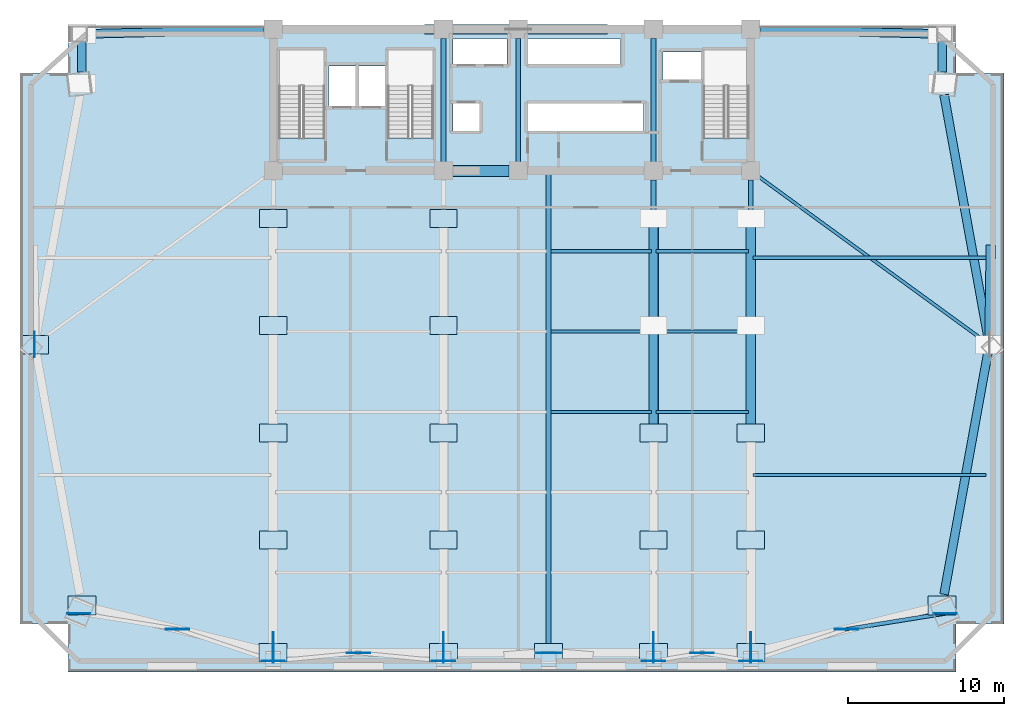
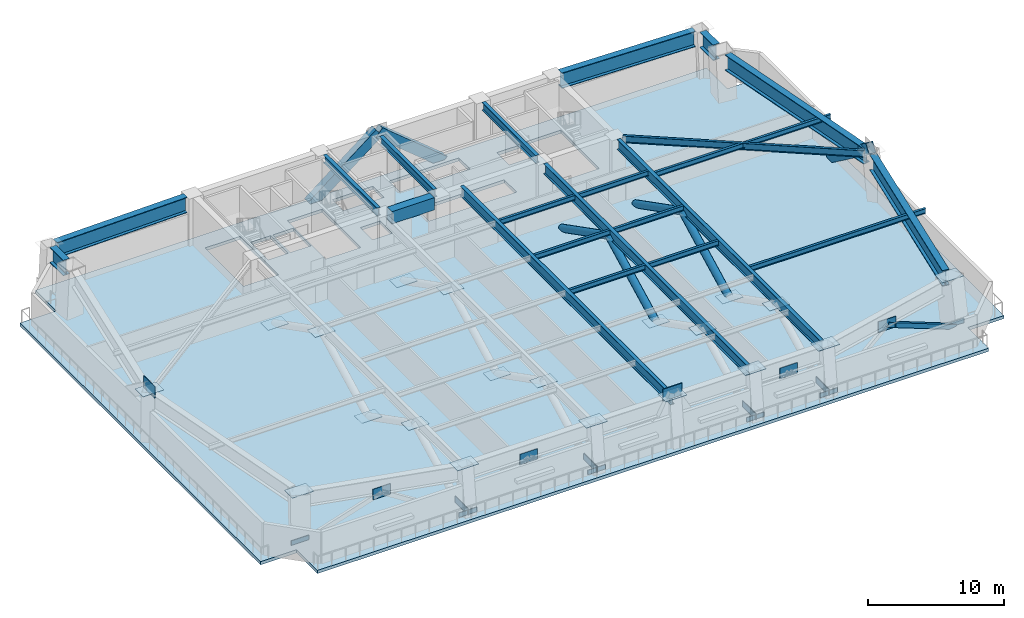
# One storey, part 2 of 10: 36 plates, 22 beams, 8 members, 1 slab.
"""IFC4 building model written with IfcOpenShell, lengths in metres."""

from ifc_helpers import new_model, si_unit, direction, frame, origin, origin_2d, place, context, subcontext, project, spatial, polyline, rectangle, hollow_rectangle, hollow_circle, i_section, outline, extrude, source, transform, mapped, material, layer, layer_set, material_profile, profile_set, type_object, element, save


model = new_model("IFC4")

# Units and contexts
model_context = context("Model", 3, precision=1e-05, world=origin(), true_north=direction((0.0, 1.0)))
body_context = subcontext(model_context, "Body", "Model", "MODEL_VIEW")
ifc_project = project(units=[si_unit("LENGTHUNIT", "METRE"), si_unit("AREAUNIT", "SQUARE_METRE"), si_unit("VOLUMEUNIT", "CUBIC_METRE"), si_unit("PLANEANGLEUNIT", "RADIAN"), si_unit("MASSUNIT", "GRAM", prefix="KILO")], contexts=[model_context])

# Site, building, storey
site_placement = place(None, origin())
site = spatial("IfcSite", under=ifc_project, at=site_placement, CompositionType="ELEMENT")
building_placement = place(site_placement, origin())
building = spatial("IfcBuilding", under=site, at=building_placement, Name="Giltprow Tower", CompositionType="ELEMENT")
storey_placement = place(building_placement, frame((0.0, 0.0, 95.199951171875)))
storey = spatial("IfcBuildingStorey", under=building, at=storey_placement, Name="L23", CompositionType="ELEMENT", Elevation=95.199951171875)

# Beams
ifc_material_1 = material(Name="Concrete C60", Category="concrete")
ifc_material_profile_1 = material_profile(ifc_material_1, rectangle(XDim=0.699951171875, YDim=1.10009765625, at=origin_2d()), Name="RC 1100x700")
ifc_profile_set_1 = profile_set([ifc_material_profile_1], Name="Concrete C60")
beam_type_1 = type_object("IfcBeamType", Name="BM-CPL-RC1100", PredefinedType="LINTEL", material=ifc_profile_set_1)
shared_shape_1 = source(origin(), body_context, "Body", "SweptSolid", [
    extrude(rectangle(XDim=0.699951171875, YDim=1.10009765625, at=origin_2d()), origin(), (0.0, 0.0, 1.0), 3.6298828125),
])
beam_1_placement = place(storey_placement, frame((31.385009765625, 37.449951171875, 3.72998046875), z_axis=(1.0, 0.0, 0.0), x_axis=(0.0, 1.0, 0.0)))
element("IfcBeam", 1, at=beam_1_placement, inside=storey, type_object=beam_type_1, Name="L23 Core Coupling Beam CB-1", PredefinedType="LINTEL", context=body_context, shape_type="MappedRepresentation", body=[
    mapped(shared_shape_1, transform((0.0, 0.0, 0.0), x_axis=(1.0, 0.0, 0.0), y_axis=(0.0, 1.0, 0.0), z_axis=(0.0, 0.0, 1.0), scale=1.0)),
])
ifc_material_2 = material(Name="Structural steel Q355B", Category="steel")
ifc_material_profile_2 = material_profile(ifc_material_2, i_section(OverallWidth=0.300048828125, OverallDepth=0.699951171875, WebThickness=0.012939453125, FlangeThickness=0.02392578125, at=origin_2d()), Name="HN 700x300x13x24")
ifc_profile_set_2 = profile_set([ifc_material_profile_2], Name="Structural steel Q355B")
beam_type_2 = type_object("IfcBeamType", Name="BM-GIRD-HN700", PredefinedType="BEAM", material=ifc_profile_set_2)
shared_shape_2 = source(origin(), body_context, "Body", "SweptSolid", [
    extrude(i_section(OverallWidth=0.300048828125, OverallDepth=0.699951171875, WebThickness=0.012939453125, FlangeThickness=0.02392578125, at=origin_2d()), origin(), (0.0, 0.0, 1.0), 7.93017578125),
])
for number, where, z_axis, x_axis, name in (
    (2, (30.800048828125, 38.034912109375, 3.929931640625), (0.0, 1.0, 0.0), (-1.0, 0.0, 0.0), "L23 Core Tie Girder M1"),
    (3, (35.60009765625, 38.034912109375, 3.929931640625), (0.0, 1.0, 0.0), (-1.0, 0.0, 0.0), "L23 Core Tie Girder M2"),
    (4, (44.300048828125, 38.034912109375, 3.929931640625), (0.0, 1.0, 0.0), (-1.0, 0.0, 0.0), "L23 Core Tie Girder M3"),
):
    element("IfcBeam", number, at=place(storey_placement, frame(where, z_axis=z_axis, x_axis=x_axis)), inside=storey, type_object=beam_type_2, Name=name, PredefinedType="BEAM", context=body_context, shape_type="MappedRepresentation", body=[
        mapped(shared_shape_2, transform((0.0, 0.0, 0.0), x_axis=(1.0, 0.0, 0.0), y_axis=(0.0, 1.0, 0.0), z_axis=(0.0, 0.0, 1.0), scale=1.0)),
    ])
ifc_material_profile_3 = material_profile(ifc_material_2, i_section(OverallWidth=0.199951171875, OverallDepth=0.449951171875, WebThickness=0.009033203125, FlangeThickness=0.013916015625, at=origin_2d()), Name="HN 450x200x9x14")
ifc_profile_set_3 = profile_set([ifc_material_profile_3], Name="Structural steel Q355B")
beam_type_3 = type_object("IfcBeamType", Name="BM-JOIST-HN450", PredefinedType="JOIST", material=ifc_profile_set_3)
shared_shape_3 = source(origin(), body_context, "Body", "SweptSolid", [
    extrude(i_section(OverallWidth=0.199951171875, OverallDepth=0.449951171875, WebThickness=0.009033203125, FlangeThickness=0.013916015625, at=origin_2d()), origin(), (0.0, 0.0, 1.0), 6.4599609375),
])
for number, where, z_axis, x_axis, name in (
    (5, (37.695068359375, 21.9560546875, 4.054931640625), (1.0, 0.0, 0.0), (0.0, 1.0, 0.0), "L23 Composite Floor Joist 3-3"),
    (6, (37.695068359375, 27.12109375, 4.054931640625), (1.0, 0.0, 0.0), (0.0, 1.0, 0.0), "L23 Composite Floor Joist 4-3"),
    (7, (37.695068359375, 32.284912109375, 4.054931640625), (1.0, 0.0, 0.0), (0.0, 1.0, 0.0), "L23 Composite Floor Joist 5-3"),
):
    element("IfcBeam", number, at=place(storey_placement, frame(where, z_axis=z_axis, x_axis=x_axis)), inside=storey, type_object=beam_type_3, Name=name, PredefinedType="JOIST", context=body_context, shape_type="MappedRepresentation", body=[
        mapped(shared_shape_3, transform((0.0, 0.0, 0.0), x_axis=(1.0, 0.0, 0.0), y_axis=(0.0, 1.0, 0.0), z_axis=(0.0, 0.0, 1.0), scale=1.0)),
    ])
shared_shape_4 = source(origin(), body_context, "Body", "SweptSolid", [
    extrude(i_section(OverallWidth=0.199951171875, OverallDepth=0.449951171875, WebThickness=0.009033203125, FlangeThickness=0.013916015625, at=origin_2d()), origin(), (0.0, 0.0, 1.0), 5.9599609375),
])
for number, where, z_axis, x_axis, name in (
    (8, (44.445068359375, 21.9560546875, 4.054931640625), (1.0, 0.0, 0.0), (0.0, 1.0, 0.0), "L23 Composite Floor Joist 3-4"),
    (9, (44.445068359375, 27.12109375, 4.054931640625), (1.0, 0.0, 0.0), (0.0, 1.0, 0.0), "L23 Composite Floor Joist 4-4"),
    (10, (44.445068359375, 32.284912109375, 4.054931640625), (1.0, 0.0, 0.0), (0.0, 1.0, 0.0), "L23 Composite Floor Joist 5-4"),
):
    element("IfcBeam", number, at=place(storey_placement, frame(where, z_axis=z_axis, x_axis=x_axis)), inside=storey, type_object=beam_type_3, Name=name, PredefinedType="JOIST", context=body_context, shape_type="MappedRepresentation", body=[
        mapped(shared_shape_4, transform((0.0, 0.0, 0.0), x_axis=(1.0, 0.0, 0.0), y_axis=(0.0, 1.0, 0.0), z_axis=(0.0, 0.0, 1.0), scale=1.0)),
    ])
ifc_material_3 = material(Name="Structural steel Q420GJC", Category="steel")
ifc_material_profile_4 = material_profile(ifc_material_3, i_section(OverallWidth=0.550048828125, OverallDepth=1.39990234375, WebThickness=0.031982421875, FlangeThickness=0.050048828125, at=origin_2d()), Name="WH 1400x550x32x50")
ifc_profile_set_4 = profile_set([ifc_material_profile_4], Name="Structural steel Q420GJC")
beam_type_4 = type_object("IfcBeamType", Name="BM-XFER-WH1400", PredefinedType="BEAM", material=ifc_profile_set_4)
shared_shape_5 = source(origin(), body_context, "Body", "SweptSolid", [
    extrude(i_section(OverallWidth=0.550048828125, OverallDepth=1.39990234375, WebThickness=0.031982421875, FlangeThickness=0.050048828125, at=origin_2d()), origin(), (0.0, 0.0, 1.0), 15.8291015625),
])
beam_2_placement = place(storey_placement, frame((62.97900390625, 10.22802734375, 3.580078125), z_axis=(0.178466024476, 0.983946074797, 0.0), x_axis=(-0.983946074797, 0.178466024476, 0.0)))
element("IfcBeam", 11, at=beam_2_placement, inside=storey, type_object=beam_type_4, Name="L23 Perimeter Spandrel Beam MC_SE-E_MID", PredefinedType="BEAM", context=body_context, shape_type="MappedRepresentation", body=[
    mapped(shared_shape_5, transform((0.0, 0.0, 0.0), x_axis=(1.0, 0.0, 0.0), y_axis=(0.0, 1.0, 0.0), z_axis=(0.0, 0.0, 1.0), scale=1.0)),
])
shared_shape_6 = source(origin(), body_context, "Body", "SweptSolid", [
    extrude(i_section(OverallWidth=0.550048828125, OverallDepth=1.39990234375, WebThickness=0.031982421875, FlangeThickness=0.050048828125, at=origin_2d()), origin(), (0.0, 0.0, 1.0), 15.830078125),
])
beam_3_placement = place(storey_placement, frame((65.803955078125, 26.757080078125, 3.580078125), z_axis=(-0.178455191556, 0.983948039587, 0.0), x_axis=(-0.983948039587, -0.178455191556, 0.0)))
element("IfcBeam", 12, at=beam_3_placement, inside=storey, type_object=beam_type_4, Name="L23 Perimeter Spandrel Beam E_MID-MC_NE", PredefinedType="BEAM", context=body_context, shape_type="MappedRepresentation", body=[
    mapped(shared_shape_6, transform((0.0, 0.0, 0.0), x_axis=(1.0, 0.0, 0.0), y_axis=(0.0, 1.0, 0.0), z_axis=(0.0, 0.0, 1.0), scale=1.0)),
])
shared_shape_7 = source(origin(), body_context, "Body", "SweptSolid", [
    extrude(i_section(OverallWidth=0.550048828125, OverallDepth=1.39990234375, WebThickness=0.031982421875, FlangeThickness=0.050048828125, at=origin_2d()), origin(), (0.0, 0.0, 1.0), 1.973876953125),
])
for number, where, z_axis, x_axis, name in (
    (13, (62.847900390625, 43.791015625, 3.580078125), (0.0, 1.0, 0.0), (-1.0, 0.0, 0.0), "L23 Perimeter Spandrel Beam MC_NE-N_E"),
    (14, (7.552978515625, 45.764892578125, 3.580078125), (0.0, -1.0, 0.0), (1.0, 0.0, 0.0), "L23 Perimeter Spandrel Beam N_W-MC_NW"),
):
    element("IfcBeam", number, at=place(storey_placement, frame(where, z_axis=z_axis, x_axis=x_axis)), inside=storey, type_object=beam_type_4, Name=name, PredefinedType="BEAM", context=body_context, shape_type="MappedRepresentation", body=[
        mapped(shared_shape_7, transform((0.0, 0.0, 0.0), x_axis=(1.0, 0.0, 0.0), y_axis=(0.0, 1.0, 0.0), z_axis=(0.0, 0.0, 1.0), scale=1.0)),
    ])
shared_shape_8 = source(origin(), body_context, "Body", "SweptSolid", [
    extrude(i_section(OverallWidth=0.550048828125, OverallDepth=1.39990234375, WebThickness=0.031982421875, FlangeThickness=0.050048828125, at=origin_2d()), origin(), (0.0, 0.0, 1.0), 11.230224609375),
])
beam_4_placement = place(storey_placement, frame((8.0380859375, 46.261962890625, 3.580078125), z_axis=(0.999702470878, 0.024392001138, 0.0), x_axis=(-0.024392001138, 0.999702470878, 0.0)))
element("IfcBeam", 15, at=beam_4_placement, inside=storey, type_object=beam_type_4, Name="L23 North Wing Spandrel W", PredefinedType="BEAM", context=body_context, shape_type="MappedRepresentation", body=[
    mapped(shared_shape_8, transform((0.0, 0.0, 0.0), x_axis=(1.0, 0.0, 0.0), y_axis=(0.0, 1.0, 0.0), z_axis=(0.0, 0.0, 1.0), scale=1.0)),
])
shared_shape_9 = source(origin(), body_context, "Body", "SweptSolid", [
    extrude(i_section(OverallWidth=0.550048828125, OverallDepth=1.39990234375, WebThickness=0.031982421875, FlangeThickness=0.050048828125, at=origin_2d()), origin(), (0.0, 0.0, 1.0), 11.2314453125),
])
beam_5_placement = place(storey_placement, frame((51.135009765625, 46.535888671875, 3.580078125), z_axis=(0.99970253554, -0.024389350834, 0.0), x_axis=(0.024389350834, 0.99970253554, 0.0)))
element("IfcBeam", 16, at=beam_5_placement, inside=storey, type_object=beam_type_4, Name="L23 North Wing Spandrel E", PredefinedType="BEAM", context=body_context, shape_type="MappedRepresentation", body=[
    mapped(shared_shape_9, transform((0.0, 0.0, 0.0), x_axis=(1.0, 0.0, 0.0), y_axis=(0.0, 1.0, 0.0), z_axis=(0.0, 0.0, 1.0), scale=1.0)),
])
ifc_material_profile_5 = material_profile(ifc_material_2, i_section(OverallWidth=0.300048828125, OverallDepth=0.89990234375, WebThickness=0.01611328125, FlangeThickness=0.028076171875, at=origin_2d()), Name="HN 900x300x16x28")
ifc_profile_set_5 = profile_set([ifc_material_profile_5], Name="Structural steel Q355B")
beam_type_5 = type_object("IfcBeamType", Name="BM-GIRD-HN900", PredefinedType="BEAM", material=ifc_profile_set_5)
shared_shape_10 = source(origin(), body_context, "Body", "SweptSolid", [
    extrude(i_section(OverallWidth=0.300048828125, OverallDepth=0.89990234375, WebThickness=0.01611328125, FlangeThickness=0.028076171875, at=origin_2d()), origin(), (0.0, 0.0, 1.0), 29.91796875),
])
for number, where, z_axis, x_axis, name in (
    (17, (44.300048828125, 6.947021484375, 3.830078125), (0.0, 1.0, 0.0), (-1.0, 0.0, 0.0), "L23 Primary Lease Girder S3"),
    (18, (50.550048828125, 6.947021484375, 3.830078125), (0.0, 1.0, 0.0), (-1.0, 0.0, 0.0), "L23 Primary Lease Girder S4"),
):
    element("IfcBeam", number, at=place(storey_placement, frame(where, z_axis=z_axis, x_axis=x_axis)), inside=storey, type_object=beam_type_5, Name=name, PredefinedType="BEAM", context=body_context, shape_type="MappedRepresentation", body=[
        mapped(shared_shape_10, transform((0.0, 0.0, 0.0), x_axis=(1.0, 0.0, 0.0), y_axis=(0.0, 1.0, 0.0), z_axis=(0.0, 0.0, 1.0), scale=1.0)),
    ])
shared_shape_11 = source(origin(), body_context, "Body", "SweptSolid", [
    extrude(i_section(OverallWidth=0.300048828125, OverallDepth=0.89990234375, WebThickness=0.01611328125, FlangeThickness=0.028076171875, at=origin_2d()), origin(), (0.0, 0.0, 1.0), 30.988037109375),
])
beam_6_placement = place(storey_placement, frame((37.550048828125, 6.4619140625, 3.830078125), z_axis=(0.0, 1.0, 0.0), x_axis=(-1.0, 0.0, 0.0)))
element("IfcBeam", 19, at=beam_6_placement, inside=storey, type_object=beam_type_5, Name="L23 Central Lease Girder SMID", PredefinedType="BEAM", context=body_context, shape_type="MappedRepresentation", body=[
    mapped(shared_shape_11, transform((0.0, 0.0, 0.0), x_axis=(1.0, 0.0, 0.0), y_axis=(0.0, 1.0, 0.0), z_axis=(0.0, 0.0, 1.0), scale=1.0)),
])
ifc_material_profile_6 = material_profile(ifc_material_2, i_section(OverallWidth=0.199951171875, OverallDepth=0.60009765625, WebThickness=0.010986328125, FlangeThickness=0.01708984375, at=origin_2d()), Name="HN 600x200x11x17")
ifc_profile_set_6 = profile_set([ifc_material_profile_6], Name="Structural steel Q355B")
beam_type_6 = type_object("IfcBeamType", Name="BM-GIRD-HN600", PredefinedType="BEAM", material=ifc_profile_set_6)
shared_shape_12 = source(origin(), body_context, "Body", "SweptSolid", [
    extrude(i_section(OverallWidth=0.199951171875, OverallDepth=0.60009765625, WebThickness=0.010986328125, FlangeThickness=0.01708984375, at=origin_2d()), origin(), (0.0, 0.0, 1.0), 17.9072265625),
])
beam_7_placement = place(storey_placement, frame((65.4990234375, 26.56494140625, 3.97998046875), z_axis=(-0.808391641657, 0.588645015013, 0.0), x_axis=(-0.588645015013, -0.808391641657, 0.0)))
element("IfcBeam", 20, at=beam_7_placement, inside=storey, type_object=beam_type_6, Name="L23 East Wing Primary Girder", PredefinedType="BEAM", context=body_context, shape_type="MappedRepresentation", body=[
    mapped(shared_shape_12, transform((0.0, 0.0, 0.0), x_axis=(1.0, 0.0, 0.0), y_axis=(0.0, 1.0, 0.0), z_axis=(0.0, 0.0, 1.0), scale=1.0)),
])
shared_shape_13 = source(origin(), body_context, "Body", "SweptSolid", [
    extrude(i_section(OverallWidth=0.199951171875, OverallDepth=0.449951171875, WebThickness=0.009033203125, FlangeThickness=0.013916015625, at=origin_2d()), origin(), (0.0, 0.0, 1.0), 14.975830078125),
])
for number, where, z_axis, x_axis, name in (
    (21, (50.695068359375, 17.89306640625, 4.054931640625), (1.0, 0.0, 0.0), (0.0, 1.0, 0.0), "L23 East Wing Floor Joist 1"),
    (22, (50.695068359375, 31.864990234375, 4.054931640625), (1.0, 0.0, 0.0), (0.0, 1.0, 0.0), "L23 East Wing Floor Joist 2"),
):
    element("IfcBeam", number, at=place(storey_placement, frame(where, z_axis=z_axis, x_axis=x_axis)), inside=storey, type_object=beam_type_3, Name=name, PredefinedType="JOIST", context=body_context, shape_type="MappedRepresentation", body=[
        mapped(shared_shape_13, transform((0.0, 0.0, 0.0), x_axis=(1.0, 0.0, 0.0), y_axis=(0.0, 1.0, 0.0), z_axis=(0.0, 0.0, 1.0), scale=1.0)),
    ])

# Members
ifc_material_profile_7 = material_profile(ifc_material_3, hollow_circle(Radius=0.304931640625, WallThickness=0.028076171875, at=origin_2d()), Name="CHS 610x28")
ifc_profile_set_7 = profile_set([ifc_material_profile_7], Name="Structural steel Q420GJC")
member_type_1 = type_object("IfcMemberType", Name="MBR-OUTR-CHS610", PredefinedType="BRACE", material=ifc_profile_set_7)
shared_shape_14 = source(origin(), body_context, "Body", "SweptSolid", [
    extrude(hollow_circle(Radius=0.304931640625, WallThickness=0.028076171875, at=origin_2d()), origin(), (0.0, 0.0, 1.0), 7.752197265625),
])
for number, where, z_axis, x_axis, name in (
    (23, (44.300048828125, 20.60595703125, -0.079833984375), (0.0, 0.889666262579, 0.456611367828), (-1.0, 0.0, 0.0), "L23 Outrigger Truss Diagonal S3-3"),
    (24, (44.300048828125, 27.5029296875, 3.4599609375), (0.0, 0.889666262579, -0.456611367828), (-1.0, 0.0, 0.0), "L23 Outrigger Truss Diagonal S3-4"),
    (25, (50.550048828125, 20.60595703125, -0.079833984375), (0.0, 0.889666262579, 0.456611367828), (-1.0, 0.0, 0.0), "L23 Outrigger Truss Diagonal S4-3"),
    (26, (50.550048828125, 27.5029296875, 3.4599609375), (0.0, 0.889666262579, -0.456611367828), (-1.0, 0.0, 0.0), "L23 Outrigger Truss Diagonal S4-4"),
):
    element("IfcMember", number, at=place(storey_placement, frame(where, z_axis=z_axis, x_axis=x_axis)), inside=storey, type_object=member_type_1, Name=name, PredefinedType="BRACE", context=body_context, shape_type="MappedRepresentation", body=[
        mapped(shared_shape_14, transform((0.0, 0.0, 0.0), x_axis=(1.0, 0.0, 0.0), y_axis=(0.0, 1.0, 0.0), z_axis=(0.0, 0.0, 1.0), scale=1.0)),
    ])
ifc_material_profile_8 = material_profile(ifc_material_3, hollow_rectangle(XDim=0.25, YDim=0.39990234375, WallThickness=0.01806640625, at=origin_2d()), Name="RHS 400x250x18")
ifc_profile_set_8 = profile_set([ifc_material_profile_8], Name="Structural steel Q420GJC")
member_type_2 = type_object("IfcMemberType", Name="MBR-BELT-RHS400", PredefinedType="CHORD", material=ifc_profile_set_8)
shared_shape_15 = source(origin(), body_context, "Body", "SweptSolid", [
    extrude(hollow_rectangle(XDim=0.25, YDim=0.39990234375, WallThickness=0.01806640625, at=origin_2d()), origin(), (0.0, 0.0, 1.0), 7.1201171875),
])
member_1_placement = place(storey_placement, frame((63.055908203125, 9.006103515625, -0.079833984375), z_axis=(-0.89281467479, -0.143567671993, 0.426931235725), x_axis=(0.15876390305, -0.987316576934, 0.0)))
element("IfcMember", 27, at=member_1_placement, inside=storey, type_object=member_type_2, Name="L23 Belt-Truss Diagonal 4-2", PredefinedType="CHORD", context=body_context, shape_type="MappedRepresentation", body=[
    mapped(shared_shape_15, transform((0.0, 0.0, 0.0), x_axis=(1.0, 0.0, 0.0), y_axis=(0.0, 1.0, 0.0), z_axis=(0.0, 0.0, 1.0), scale=1.0)),
])
ifc_material_profile_9 = material_profile(ifc_material_3, hollow_rectangle(XDim=0.60009765625, YDim=0.89990234375, WallThickness=0.0400390625, at=origin_2d()), Name="RHS 900x600x40")
ifc_profile_set_9 = profile_set([ifc_material_profile_9], Name="Structural steel Q420GJC")
member_type_3 = type_object("IfcMemberType", Name="MBR-MEGA-RHS900", PredefinedType="BRACE", material=ifc_profile_set_9)
shared_shape_16 = source(origin(), body_context, "Body", "SweptSolid", [
    extrude(hollow_rectangle(XDim=0.60009765625, YDim=0.89990234375, WallThickness=0.0400390625, at=origin_2d()), origin(), (0.0, 0.0, 1.0), 7.0830078125),
])
member_2_placement = place(storey_placement, frame((41.070068359375, 46.550048828125, -0.139892578125), z_axis=(-0.772254489238, 0.0, 0.635313311566), x_axis=(0.0, -1.0, 0.0)))
element("IfcMember", 28, at=member_2_placement, inside=storey, type_object=member_type_3, Name="L23 Chevron Mega-Brace N-R", PredefinedType="BRACE", context=body_context, shape_type="MappedRepresentation", body=[
    mapped(shared_shape_16, transform((0.0, 0.0, 0.0), x_axis=(1.0, 0.0, 0.0), y_axis=(0.0, 1.0, 0.0), z_axis=(0.0, 0.0, 1.0), scale=1.0)),
])
shared_shape_17 = source(origin(), body_context, "Body", "SweptSolid", [
    extrude(hollow_rectangle(XDim=0.60009765625, YDim=0.89990234375, WallThickness=0.0400390625, at=origin_2d()), origin(), (0.0, 0.0, 1.0), 7.311279296875),
])
member_3_placement = place(storey_placement, frame((29.837890625, 46.550048828125, -0.139892578125), z_axis=(0.788138774778, 0.0, 0.615497580574), x_axis=(0.0, 1.0, 0.0)))
element("IfcMember", 29, at=member_3_placement, inside=storey, type_object=member_type_3, Name="L23 Chevron Mega-Brace N-L", PredefinedType="BRACE", context=body_context, shape_type="MappedRepresentation", body=[
    mapped(shared_shape_17, transform((0.0, 0.0, 0.0), x_axis=(1.0, 0.0, 0.0), y_axis=(0.0, 1.0, 0.0), z_axis=(0.0, 0.0, 1.0), scale=1.0)),
])
shared_shape_18 = source(origin(), body_context, "Body", "SweptSolid", [
    extrude(hollow_rectangle(XDim=0.60009765625, YDim=0.89990234375, WallThickness=0.0400390625, at=origin_2d()), origin(), (0.0, 0.0, 1.0), 7.603271484375),
])
member_4_placement = place(storey_placement, frame((65.97705078125, 32.407958984375, 0.0), z_axis=(-0.011302781562, -0.805965389813, 0.591854743627), x_axis=(0.999901679555, -0.014022525546, 0.0)))
element("IfcMember", 30, at=member_4_placement, inside=storey, type_object=member_type_3, Name="L23 Chevron Mega-Brace E-R", PredefinedType="BRACE", context=body_context, shape_type="MappedRepresentation", body=[
    mapped(shared_shape_18, transform((0.0, 0.0, 0.0), x_axis=(1.0, 0.0, 0.0), y_axis=(0.0, 1.0, 0.0), z_axis=(0.0, 0.0, 1.0), scale=1.0)),
])

# Slab
ifc_material_4 = material(Name="Concrete C40", Category="concrete")
ifc_layer = layer(ifc_material_4, 0.280029296875, Name="Concrete C40")
ifc_layer_set = layer_set([ifc_layer], Name="Concrete C40")
slab_type = type_object("IfcSlabType", Name="SLB-REF-280", PredefinedType="FLOOR", material=ifc_layer_set)
slab_placement = place(storey_placement, frame((0.0, 0.0, -0.280029296875)))
element("IfcSlab", 31, at=slab_placement, inside=storey, type_object=slab_type, Name="L23 Structural Composite Floor Slab", PredefinedType="FLOOR", context=body_context, shape_type="SweptSolid", body=[
    extrude(outline(polyline([(6.64501953125, 8.305908203125), (3.574951171875, 8.305908203125), (3.574951171875, 43.72998046875), (6.64501953125, 43.72998046875), (6.64501953125, 46.800048828125), (63.756103515625, 46.800048828125), (63.756103515625, 43.72998046875), (66.825927734375, 43.72998046875), (66.825927734375, 8.305908203125), (63.756103515625, 8.305908203125), (63.756103515625, 5.236083984375), (6.64501953125, 5.236083984375), (6.64501953125, 8.305908203125)]), holes=[polyline([(31.419921875, 41.800048828125), (31.419921875, 40.0), (33.10009765625, 40.0), (33.10009765625, 41.800048828125), (31.419921875, 41.800048828125)]), polyline([(43.659912109375, 41.800048828125), (36.239990234375, 41.800048828125), (36.239990234375, 40.0), (43.659912109375, 40.0), (43.659912109375, 41.800048828125)]), polyline([(23.159912109375, 45.25), (20.199951171875, 45.25), (20.199951171875, 39.570068359375), (23.159912109375, 39.570068359375), (23.159912109375, 45.25)]), polyline([(30.159912109375, 39.570068359375), (30.159912109375, 45.25), (27.199951171875, 45.25), (27.199951171875, 39.570068359375), (30.159912109375, 39.570068359375)]), polyline([(50.4599609375, 39.570068359375), (50.4599609375, 45.25), (47.5, 45.25), (47.5, 39.570068359375), (50.4599609375, 39.570068359375)]), polyline([(25.169921875, 44.199951171875), (23.449951171875, 44.199951171875), (23.449951171875, 41.60009765625), (25.169921875, 41.60009765625), (25.169921875, 44.199951171875)]), polyline([(27.10009765625, 44.199951171875), (25.35009765625, 44.199951171875), (25.35009765625, 41.60009765625), (27.10009765625, 41.60009765625), (27.10009765625, 44.199951171875)]), polyline([(47.3798828125, 45.10009765625), (44.919921875, 45.10009765625), (44.919921875, 43.300048828125), (47.3798828125, 43.300048828125), (47.3798828125, 45.10009765625)]), polyline([(34.8798828125, 44.300048828125), (34.8798828125, 45.919921875), (31.419921875, 45.919921875), (31.419921875, 44.300048828125), (34.8798828125, 44.300048828125)]), polyline([(42.169921875, 44.300048828125), (42.169921875, 45.919921875), (36.239990234375, 45.919921875), (36.239990234375, 44.300048828125), (42.169921875, 44.300048828125)])]), origin(), (0.0, 0.0, 1.0), 0.280029296875),
])

# Plates
plate_type_1 = type_object("IfcPlateType", Name="PLT-CAP-SEAL-INT", PredefinedType="USERDEFINED", material=ifc_material_3)
shared_shape_19 = source(origin(), body_context, "Body", "SweptSolid", [
    extrude(rectangle(XDim=1.75, YDim=1.14990234375, at=origin_2d()), origin(), (0.0, 0.0, 1.0), 0.0400390625),
])
for number, where, z_axis, x_axis, name in (
    (32, (19.85009765625, 13.708984375, 3.43994140625), (0.0, 0.0, 1.0), (1.0, 0.0, 0.0), "Outrigger Seal Plate L23-S1-1B"),
    (33, (19.85009765625, 20.60595703125, -0.099853515625), (0.0, 0.0, 1.0), (1.0, 0.0, 0.0), "Outrigger Seal Plate L23-S1-2B"),
    (34, (19.85009765625, 27.5029296875, 3.43994140625), (0.0, 0.0, 1.0), (1.0, 0.0, 0.0), "Outrigger Seal Plate L23-S1-3B"),
    (35, (19.85009765625, 34.39990234375, -0.099853515625), (0.0, 0.0, 1.0), (1.0, 0.0, 0.0), "Outrigger Seal Plate L23-S1-4B"),
    (36, (30.800048828125, 13.708984375, 3.43994140625), (0.0, 0.0, 1.0), (1.0, 0.0, 0.0), "Outrigger Seal Plate L23-S2-1B"),
    (37, (30.800048828125, 20.60595703125, -0.099853515625), (0.0, 0.0, 1.0), (1.0, 0.0, 0.0), "Outrigger Seal Plate L23-S2-2B"),
    (38, (30.800048828125, 27.5029296875, 3.43994140625), (0.0, 0.0, 1.0), (1.0, 0.0, 0.0), "Outrigger Seal Plate L23-S2-3B"),
    (39, (30.800048828125, 34.39990234375, -0.099853515625), (0.0, 0.0, 1.0), (1.0, 0.0, 0.0), "Outrigger Seal Plate L23-S2-4B"),
    (40, (44.300048828125, 13.708984375, 3.43994140625), (0.0, 0.0, 1.0), (1.0, 0.0, 0.0), "Outrigger Seal Plate L23-S3-1B"),
    (41, (44.300048828125, 20.60595703125, -0.099853515625), (0.0, 0.0, 1.0), (1.0, 0.0, 0.0), "Outrigger Seal Plate L23-S3-2B"),
    (42, (50.550048828125, 13.708984375, 3.43994140625), (0.0, 0.0, 1.0), (1.0, 0.0, 0.0), "Outrigger Seal Plate L23-S4-1B"),
    (43, (50.550048828125, 20.60595703125, -0.099853515625), (0.0, 0.0, 1.0), (1.0, 0.0, 0.0), "Outrigger Seal Plate L23-S4-2B"),
):
    element("IfcPlate", number, at=place(storey_placement, frame(where, z_axis=z_axis, x_axis=x_axis)), inside=storey, type_object=plate_type_1, Name=name, ObjectType="SPLICE", PredefinedType="USERDEFINED", context=body_context, shape_type="MappedRepresentation", body=[
        mapped(shared_shape_19, transform((0.0, 0.0, 0.0), x_axis=(1.0, 0.0, 0.0), y_axis=(0.0, 1.0, 0.0), z_axis=(0.0, 0.0, 1.0), scale=1.0)),
    ])
plate_type_2 = type_object("IfcPlateType", Name="PLT-NODE-OTN1", PredefinedType="USERDEFINED", material=ifc_material_3)
shared_shape_20 = source(origin(), body_context, "Body", "SweptSolid", [
    extrude(rectangle(XDim=1.949951171875, YDim=0.054931640625, at=origin_2d()), origin(), (0.0, 0.0, 1.0), 1.25),
])
for number, where, z_axis, x_axis, name in (
    (44, (19.85009765625, 6.81201171875, -0.704833984375), (0.0, 0.0, 1.0), (0.0, 1.0, 0.0), "OTN1 Outrigger Node L23-S1-1A"),
    (45, (30.800048828125, 6.81201171875, -0.704833984375), (0.0, 0.0, 1.0), (0.0, 1.0, 0.0), "OTN1 Outrigger Node L23-S2-1A"),
    (46, (44.300048828125, 6.81201171875, -0.704833984375), (0.0, 0.0, 1.0), (0.0, 1.0, 0.0), "OTN1 Outrigger Node L23-S3-1A"),
    (47, (50.550048828125, 6.81201171875, -0.704833984375), (0.0, 0.0, 1.0), (0.0, 1.0, 0.0), "OTN1 Outrigger Node L23-S4-1A"),
):
    element("IfcPlate", number, at=place(storey_placement, frame(where, z_axis=z_axis, x_axis=x_axis)), inside=storey, type_object=plate_type_2, Name=name, ObjectType="GUSSET", PredefinedType="USERDEFINED", context=body_context, shape_type="MappedRepresentation", body=[
        mapped(shared_shape_20, transform((0.0, 0.0, 0.0), x_axis=(1.0, 0.0, 0.0), y_axis=(0.0, 1.0, 0.0), z_axis=(0.0, 0.0, 1.0), scale=1.0)),
    ])
plate_type_3 = type_object("IfcPlateType", Name="PLT-NODE-CKN1", PredefinedType="USERDEFINED", material=ifc_material_3)
shared_shape_21 = source(origin(), body_context, "Body", "SweptSolid", [
    extrude(rectangle(XDim=1.800048828125, YDim=1.199951171875, at=origin_2d()), origin(), (0.0, 0.0, 1.0), 0.044921875),
])
for number, where, z_axis, x_axis, name in (
    (48, (7.552978515625, 9.5048828125, 4.237548828125), (0.0, 0.0, 1.0), (1.0, 0.0, 0.0), "CKN1 Column Taper Splice Node L23-MC_SW"),
    (49, (62.847900390625, 9.5048828125, 4.237548828125), (0.0, 0.0, 1.0), (1.0, 0.0, 0.0), "CKN1 Column Taper Splice Node L23-MC_SE"),
    (50, (19.85009765625, 6.4619140625, 4.237548828125), (0.0, 0.0, 1.0), (1.0, 0.0, 0.0), "CKN1 Column Taper Splice Node L23-S1"),
    (51, (30.800048828125, 6.4619140625, 4.237548828125), (0.0, 0.0, 1.0), (1.0, 0.0, 0.0), "CKN1 Column Taper Splice Node L23-S2"),
    (52, (37.550048828125, 6.4619140625, 4.237548828125), (0.0, 0.0, 1.0), (1.0, 0.0, 0.0), "CKN1 Column Taper Splice Node L23-S_MID"),
    (53, (44.300048828125, 6.4619140625, 4.237548828125), (0.0, 0.0, 1.0), (1.0, 0.0, 0.0), "CKN1 Column Taper Splice Node L23-S3"),
    (54, (50.550048828125, 6.4619140625, 4.237548828125), (0.0, 0.0, 1.0), (1.0, 0.0, 0.0), "CKN1 Column Taper Splice Node L23-S4"),
    (55, (4.510009765625, 26.280029296875, 4.237548828125), (0.0, 0.0, 1.0), (1.0, 0.0, 0.0), "CKN1 Column Taper Splice Node L23-W_MID"),
):
    element("IfcPlate", number, at=place(storey_placement, frame(where, z_axis=z_axis, x_axis=x_axis)), inside=storey, type_object=plate_type_3, Name=name, ObjectType="SPLICE", PredefinedType="USERDEFINED", context=body_context, shape_type="MappedRepresentation", body=[
        mapped(shared_shape_21, transform((0.0, 0.0, 0.0), x_axis=(1.0, 0.0, 0.0), y_axis=(0.0, 1.0, 0.0), z_axis=(0.0, 0.0, 1.0), scale=1.0)),
    ])
plate_type_4 = type_object("IfcPlateType", Name="PLT-NODE-BTN1", PredefinedType="USERDEFINED", material=ifc_material_3)
shared_shape_22 = source(origin(), body_context, "Body", "SweptSolid", [
    extrude(rectangle(XDim=1.5, YDim=0.0400390625, at=origin_2d()), origin(), (0.0, 0.0, 1.0), 0.949951171875),
])
for number, where, z_axis, x_axis, name in (
    (56, (7.344970703125, 9.006103515625, -0.5546875), (0.0, 0.0, 1.0), (1.0, 0.0, 0.0), "BTN1 Belt Node L23-1-1A"),
    (57, (13.701904296875, 7.98388671875, 2.48486328125), (0.0, 0.0, 1.0), (1.0, 0.0, 0.0), "BTN1 Belt Apex L23-1-1B"),
    (58, (19.85009765625, 5.93603515625, -0.5546875), (0.0, 0.0, 1.0), (1.0, 0.0, 0.0), "BTN1 Belt Node L23-1-2A"),
    (59, (25.324951171875, 6.4619140625, 2.48486328125), (0.0, 0.0, 1.0), (1.0, 0.0, 0.0), "BTN1 Belt Apex L23-2-1B"),
    (60, (30.800048828125, 5.93603515625, -0.5546875), (0.0, 0.0, 1.0), (1.0, 0.0, 0.0), "BTN1 Belt Node L23-2-2A"),
    (61, (44.300048828125, 5.93603515625, -0.5546875), (0.0, 0.0, 1.0), (1.0, 0.0, 0.0), "BTN1 Belt Node L23-3-1A"),
    (62, (47.425048828125, 6.4619140625, 2.48486328125), (0.0, 0.0, 1.0), (1.0, 0.0, 0.0), "BTN1 Belt Apex L23-3-1B"),
    (63, (50.550048828125, 5.93603515625, -0.5546875), (0.0, 0.0, 1.0), (1.0, 0.0, 0.0), "BTN1 Belt Node L23-3-2A"),
    (64, (56.698974609375, 7.98388671875, 2.48486328125), (0.0, 0.0, 1.0), (1.0, 0.0, 0.0), "BTN1 Belt Apex L23-4-1B"),
    (65, (63.055908203125, 9.006103515625, -0.5546875), (0.0, 0.0, 1.0), (1.0, 0.0, 0.0), "BTN1 Belt Node L23-4-2A"),
):
    element("IfcPlate", number, at=place(storey_placement, frame(where, z_axis=z_axis, x_axis=x_axis)), inside=storey, type_object=plate_type_4, Name=name, ObjectType="SPLICE", PredefinedType="USERDEFINED", context=body_context, shape_type="MappedRepresentation", body=[
        mapped(shared_shape_22, transform((0.0, 0.0, 0.0), x_axis=(1.0, 0.0, 0.0), y_axis=(0.0, 1.0, 0.0), z_axis=(0.0, 0.0, 1.0), scale=1.0)),
    ])
plate_type_5 = type_object("IfcPlateType", Name="PLT-NODE-MBN2", PredefinedType="USERDEFINED", material=ifc_material_3)
shared_shape_23 = source(origin(), body_context, "Body", "SweptSolid", [
    extrude(rectangle(XDim=1.64990234375, YDim=0.044921875, at=origin_2d()), origin(), (0.0, 0.0, 1.0), 1.050048828125),
])
for number, where, z_axis, x_axis, name in (
    (66, (37.550048828125, 6.4619140625, 3.97509765625), (0.0, 0.0, 1.0), (1.0, 0.0, 0.0), "Mega-Brace Node L23-S-LB"),
    (67, (4.510009765625, 26.280029296875, 3.97509765625), (0.0, 0.0, 1.0), (0.0, 1.0, 0.0), "Mega-Brace Node L23-W-RB"),
):
    element("IfcPlate", number, at=place(storey_placement, frame(where, z_axis=z_axis, x_axis=x_axis)), inside=storey, type_object=plate_type_5, Name=name, ObjectType="GUSSET", PredefinedType="USERDEFINED", context=body_context, shape_type="MappedRepresentation", body=[
        mapped(shared_shape_23, transform((0.0, 0.0, 0.0), x_axis=(1.0, 0.0, 0.0), y_axis=(0.0, 1.0, 0.0), z_axis=(0.0, 0.0, 1.0), scale=1.0)),
    ])

save(model, "model.ifc")
